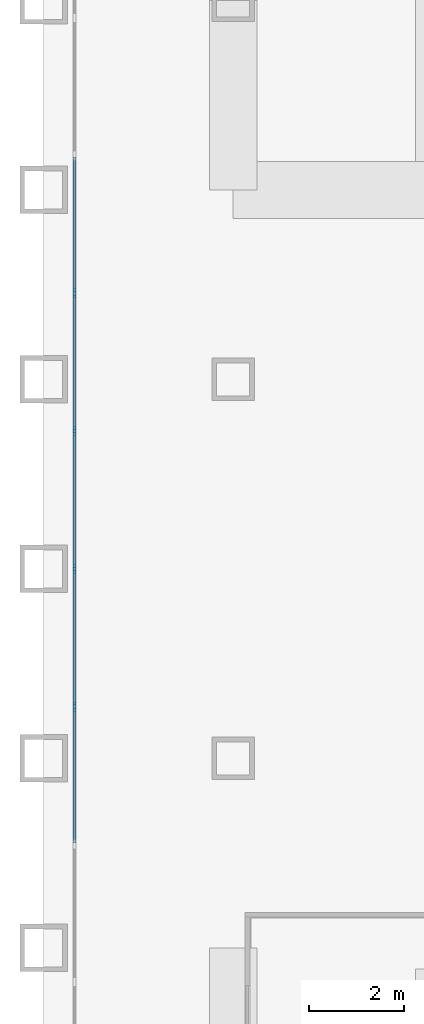
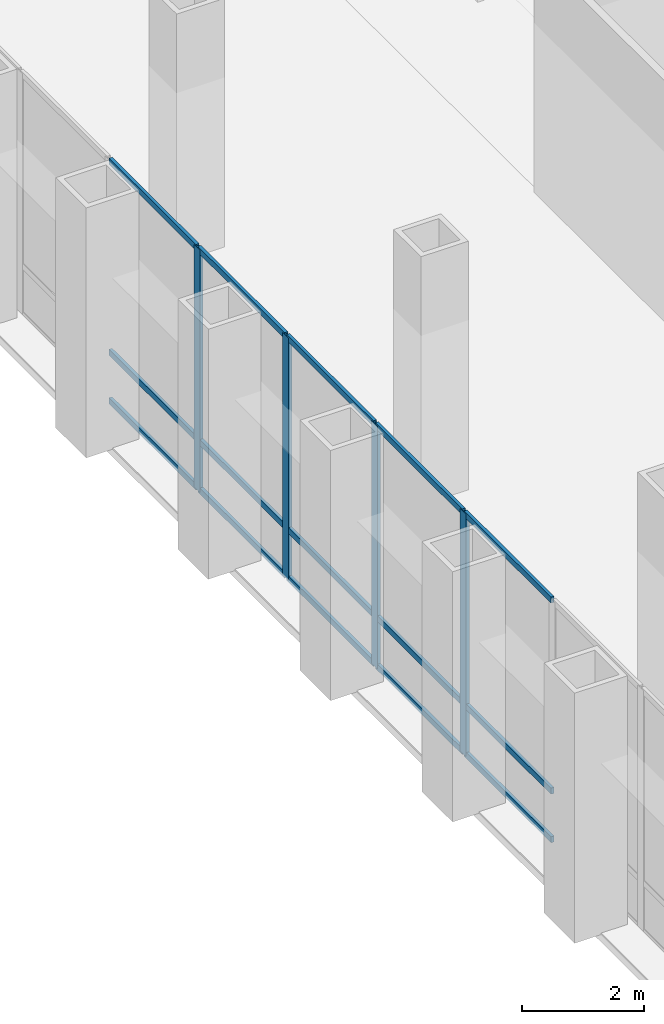
# One storey, part 4 of 13: 19 members, 1 element without a shape of its own.
"""IFC4 building model written with IfcOpenShell, lengths in metres."""

from ifc_helpers import new_model, si_unit, direction, frame, origin, origin_2d, place, context, subcontext, project, spatial, rectangle, extrude, material, material_profile, profile_set, type_object, element, aggregate, save


model = new_model("IFC4")

# Units and contexts
model_context = context("Model", 3, precision=1e-05, world=origin(), true_north=direction((0.0, 1.0)))
body_context = subcontext(model_context, "Body", "Model", "MODEL_VIEW")
ifc_project = project(units=[si_unit("LENGTHUNIT", "METRE"), si_unit("AREAUNIT", "SQUARE_METRE"), si_unit("VOLUMEUNIT", "CUBIC_METRE"), si_unit("PLANEANGLEUNIT", "RADIAN"), si_unit("MASSUNIT", "GRAM", prefix="KILO")], contexts=[model_context])

# Site, building, storey
site_placement = place(None, origin())
site = spatial("IfcSite", under=ifc_project, at=site_placement, CompositionType="ELEMENT")
building_placement = place(site_placement, origin())
building = spatial("IfcBuilding", under=site, at=building_placement, Name="Rimbunsela Tower", CompositionType="ELEMENT")
storey_placement = place(building_placement, frame((0.0, 0.0, 142.800048828125)))
storey = spatial("IfcBuildingStorey", under=building, at=storey_placement, Name="L34", CompositionType="ELEMENT", Elevation=142.800048828125)

# Curtain wall, members
ifc_material_1 = material(Name="Aluminium curtain wall", Category="aluminium")
curtain_wall_type = type_object("IfcCurtainWallType", Name="Sky lobby glazing", PredefinedType="USERDEFINED", material=ifc_material_1)
curtain_wall_placement = place(storey_placement, origin())
curtain_wall = element("IfcCurtainWall", 1, at=curtain_wall_placement, inside=storey, type_object=curtain_wall_type, Name="Sky lobby glazing L34", ObjectType="SKY LOBBY GLAZING", PredefinedType="USERDEFINED")
ifc_material_2 = material(Name="Aluminium mullion", Category="aluminium")
ifc_material_profile_1 = material_profile(ifc_material_2, rectangle(XDim=0.06005859375, YDim=0.199951171875, at=origin_2d()), Name="Mullion 60x200")
ifc_profile_set_1 = profile_set([ifc_material_profile_1], Name="Aluminium mullion")
member_type_1 = type_object("IfcMemberType", Name="Curtain wall mullion 60x200", PredefinedType="MULLION", material=ifc_profile_set_1)
member_1_placement = place(storey_placement, frame((6.64990234375, 33.814208984375, 0.0), z_axis=(0.0, 0.0, 1.0), x_axis=(1.0, 0.0, 0.0)))
member_1 = element("IfcMember", 2, at=member_1_placement, type_object=member_type_1, Name="CW4 mullion 6", PredefinedType="MULLION", context=body_context, shape_type="SweptSolid", body=[
    extrude(rectangle(XDim=0.06005859375, YDim=0.199951171875, at=origin_2d()), origin(), (0.0, 0.0, 1.0), 4.849853515625),
])
member_2_placement = place(storey_placement, frame((6.64990234375, 30.9072265625, 0.0), z_axis=(0.0, 0.0, 1.0), x_axis=(1.0, 0.0, 0.0)))
member_2 = element("IfcMember", 3, at=member_2_placement, type_object=member_type_1, Name="CW4 mullion 7", PredefinedType="MULLION", context=body_context, shape_type="SweptSolid", body=[
    extrude(rectangle(XDim=0.06005859375, YDim=0.199951171875, at=origin_2d()), origin(), (0.0, 0.0, 1.0), 4.849853515625),
])
member_3_placement = place(storey_placement, frame((6.64990234375, 28.0, 0.0), z_axis=(0.0, 0.0, 1.0), x_axis=(1.0, 0.0, 0.0)))
member_3 = element("IfcMember", 4, at=member_3_placement, type_object=member_type_1, Name="CW4 mullion 8", PredefinedType="MULLION", context=body_context, shape_type="SweptSolid", body=[
    extrude(rectangle(XDim=0.06005859375, YDim=0.199951171875, at=origin_2d()), origin(), (0.0, 0.0, 1.0), 4.849853515625),
])
member_4_placement = place(storey_placement, frame((6.64990234375, 25.0927734375, 0.0), z_axis=(0.0, 0.0, 1.0), x_axis=(1.0, 0.0, 0.0)))
member_4 = element("IfcMember", 5, at=member_4_placement, type_object=member_type_1, Name="CW4 mullion 9", PredefinedType="MULLION", context=body_context, shape_type="SweptSolid", body=[
    extrude(rectangle(XDim=0.06005859375, YDim=0.199951171875, at=origin_2d()), origin(), (0.0, 0.0, 1.0), 4.849853515625),
])
ifc_material_3 = material(Name="Aluminium transom", Category="aluminium")
ifc_material_profile_2 = material_profile(ifc_material_3, rectangle(XDim=0.06005859375, YDim=0.1201171875, at=origin_2d()), Name="Transom 60x120")
ifc_profile_set_2 = profile_set([ifc_material_profile_2], Name="Aluminium transom")
member_type_2 = type_object("IfcMemberType", Name="Curtain wall transom 60x120", PredefinedType="USERDEFINED", material=ifc_profile_set_2)
member_5_placement = place(storey_placement, frame((6.64990234375, 36.69140625, 0.030029296875), z_axis=(0.0, -1.0, 0.0), x_axis=(1.0, 0.0, 0.0)))
member_5 = element("IfcMember", 6, at=member_5_placement, type_object=member_type_2, Name="CW4 transom 5.1", ObjectType="TRANSOM", PredefinedType="USERDEFINED", context=body_context, shape_type="SweptSolid", body=[
    extrude(rectangle(XDim=0.06005859375, YDim=0.1201171875, at=origin_2d()), origin(), (0.0, 0.0, 1.0), 2.84716796875),
])
member_6_placement = place(storey_placement, frame((6.64990234375, 36.69140625, 1.0), z_axis=(0.0, -1.0, 0.0), x_axis=(1.0, 0.0, 0.0)))
member_6 = element("IfcMember", 7, at=member_6_placement, type_object=member_type_2, Name="CW4 transom 5.2", ObjectType="TRANSOM", PredefinedType="USERDEFINED", context=body_context, shape_type="SweptSolid", body=[
    extrude(rectangle(XDim=0.06005859375, YDim=0.1201171875, at=origin_2d()), origin(), (0.0, 0.0, 1.0), 2.84716796875),
])
member_7_placement = place(storey_placement, frame((6.64990234375, 36.69140625, 4.820068359375), z_axis=(0.0, -1.0, 0.0), x_axis=(1.0, 0.0, 0.0)))
member_7 = element("IfcMember", 8, at=member_7_placement, type_object=member_type_2, Name="CW4 transom 5.3", ObjectType="TRANSOM", PredefinedType="USERDEFINED", context=body_context, shape_type="SweptSolid", body=[
    extrude(rectangle(XDim=0.06005859375, YDim=0.1201171875, at=origin_2d()), origin(), (0.0, 0.0, 1.0), 2.84716796875),
])
member_8_placement = place(storey_placement, frame((6.64990234375, 33.7841796875, 0.030029296875), z_axis=(0.0, -1.0, 0.0), x_axis=(1.0, 0.0, 0.0)))
member_8 = element("IfcMember", 9, at=member_8_placement, type_object=member_type_2, Name="CW4 transom 6.1", ObjectType="TRANSOM", PredefinedType="USERDEFINED", context=body_context, shape_type="SweptSolid", body=[
    extrude(rectangle(XDim=0.06005859375, YDim=0.1201171875, at=origin_2d()), origin(), (0.0, 0.0, 1.0), 2.846923828125),
])
member_9_placement = place(storey_placement, frame((6.64990234375, 33.7841796875, 1.0), z_axis=(0.0, -1.0, 0.0), x_axis=(1.0, 0.0, 0.0)))
member_9 = element("IfcMember", 10, at=member_9_placement, type_object=member_type_2, Name="CW4 transom 6.2", ObjectType="TRANSOM", PredefinedType="USERDEFINED", context=body_context, shape_type="SweptSolid", body=[
    extrude(rectangle(XDim=0.06005859375, YDim=0.1201171875, at=origin_2d()), origin(), (0.0, 0.0, 1.0), 2.846923828125),
])
member_10_placement = place(storey_placement, frame((6.64990234375, 33.7841796875, 4.820068359375), z_axis=(0.0, -1.0, 0.0), x_axis=(1.0, 0.0, 0.0)))
member_10 = element("IfcMember", 11, at=member_10_placement, type_object=member_type_2, Name="CW4 transom 6.3", ObjectType="TRANSOM", PredefinedType="USERDEFINED", context=body_context, shape_type="SweptSolid", body=[
    extrude(rectangle(XDim=0.06005859375, YDim=0.1201171875, at=origin_2d()), origin(), (0.0, 0.0, 1.0), 2.846923828125),
])
member_11_placement = place(storey_placement, frame((6.64990234375, 30.877197265625, 0.030029296875), z_axis=(0.0, -1.0, 0.0), x_axis=(1.0, 0.0, 0.0)))
member_11 = element("IfcMember", 12, at=member_11_placement, type_object=member_type_2, Name="CW4 transom 7.1", ObjectType="TRANSOM", PredefinedType="USERDEFINED", context=body_context, shape_type="SweptSolid", body=[
    extrude(rectangle(XDim=0.06005859375, YDim=0.1201171875, at=origin_2d()), origin(), (0.0, 0.0, 1.0), 2.84716796875),
])
member_12_placement = place(storey_placement, frame((6.64990234375, 30.877197265625, 1.0), z_axis=(0.0, -1.0, 0.0), x_axis=(1.0, 0.0, 0.0)))
member_12 = element("IfcMember", 13, at=member_12_placement, type_object=member_type_2, Name="CW4 transom 7.2", ObjectType="TRANSOM", PredefinedType="USERDEFINED", context=body_context, shape_type="SweptSolid", body=[
    extrude(rectangle(XDim=0.06005859375, YDim=0.1201171875, at=origin_2d()), origin(), (0.0, 0.0, 1.0), 2.84716796875),
])
member_13_placement = place(storey_placement, frame((6.64990234375, 30.877197265625, 4.820068359375), z_axis=(0.0, -1.0, 0.0), x_axis=(1.0, 0.0, 0.0)))
member_13 = element("IfcMember", 14, at=member_13_placement, type_object=member_type_2, Name="CW4 transom 7.3", ObjectType="TRANSOM", PredefinedType="USERDEFINED", context=body_context, shape_type="SweptSolid", body=[
    extrude(rectangle(XDim=0.06005859375, YDim=0.1201171875, at=origin_2d()), origin(), (0.0, 0.0, 1.0), 2.84716796875),
])
member_14_placement = place(storey_placement, frame((6.64990234375, 27.969970703125, 0.030029296875), z_axis=(0.0, -1.0, 0.0), x_axis=(1.0, 0.0, 0.0)))
member_14 = element("IfcMember", 15, at=member_14_placement, type_object=member_type_2, Name="CW4 transom 8.1", ObjectType="TRANSOM", PredefinedType="USERDEFINED", context=body_context, shape_type="SweptSolid", body=[
    extrude(rectangle(XDim=0.06005859375, YDim=0.1201171875, at=origin_2d()), origin(), (0.0, 0.0, 1.0), 2.84716796875),
])
member_15_placement = place(storey_placement, frame((6.64990234375, 27.969970703125, 1.0), z_axis=(0.0, -1.0, 0.0), x_axis=(1.0, 0.0, 0.0)))
member_15 = element("IfcMember", 16, at=member_15_placement, type_object=member_type_2, Name="CW4 transom 8.2", ObjectType="TRANSOM", PredefinedType="USERDEFINED", context=body_context, shape_type="SweptSolid", body=[
    extrude(rectangle(XDim=0.06005859375, YDim=0.1201171875, at=origin_2d()), origin(), (0.0, 0.0, 1.0), 2.84716796875),
])
member_16_placement = place(storey_placement, frame((6.64990234375, 27.969970703125, 4.820068359375), z_axis=(0.0, -1.0, 0.0), x_axis=(1.0, 0.0, 0.0)))
member_16 = element("IfcMember", 17, at=member_16_placement, type_object=member_type_2, Name="CW4 transom 8.3", ObjectType="TRANSOM", PredefinedType="USERDEFINED", context=body_context, shape_type="SweptSolid", body=[
    extrude(rectangle(XDim=0.06005859375, YDim=0.1201171875, at=origin_2d()), origin(), (0.0, 0.0, 1.0), 2.84716796875),
])
member_17_placement = place(storey_placement, frame((6.64990234375, 25.062744140625, 0.030029296875), z_axis=(0.0, -1.0, 0.0), x_axis=(1.0, 0.0, 0.0)))
member_17 = element("IfcMember", 18, at=member_17_placement, type_object=member_type_2, Name="CW4 transom 9.1", ObjectType="TRANSOM", PredefinedType="USERDEFINED", context=body_context, shape_type="SweptSolid", body=[
    extrude(rectangle(XDim=0.06005859375, YDim=0.1201171875, at=origin_2d()), origin(), (0.0, 0.0, 1.0), 2.846923828125),
])
member_18_placement = place(storey_placement, frame((6.64990234375, 25.062744140625, 1.0), z_axis=(0.0, -1.0, 0.0), x_axis=(1.0, 0.0, 0.0)))
member_18 = element("IfcMember", 19, at=member_18_placement, type_object=member_type_2, Name="CW4 transom 9.2", ObjectType="TRANSOM", PredefinedType="USERDEFINED", context=body_context, shape_type="SweptSolid", body=[
    extrude(rectangle(XDim=0.06005859375, YDim=0.1201171875, at=origin_2d()), origin(), (0.0, 0.0, 1.0), 2.846923828125),
])
member_19_placement = place(storey_placement, frame((6.64990234375, 25.062744140625, 4.820068359375), z_axis=(0.0, -1.0, 0.0), x_axis=(1.0, 0.0, 0.0)))
member_19 = element("IfcMember", 20, at=member_19_placement, type_object=member_type_2, Name="CW4 transom 9.3", ObjectType="TRANSOM", PredefinedType="USERDEFINED", context=body_context, shape_type="SweptSolid", body=[
    extrude(rectangle(XDim=0.06005859375, YDim=0.1201171875, at=origin_2d()), origin(), (0.0, 0.0, 1.0), 2.846923828125),
])
aggregate(curtain_wall, [member_1, member_2, member_3, member_4, member_5, member_6, member_7, member_8, member_9, member_10, member_11, member_12, member_13, member_14, member_15, member_16, member_17, member_18, member_19])

save(model, "model.ifc")
